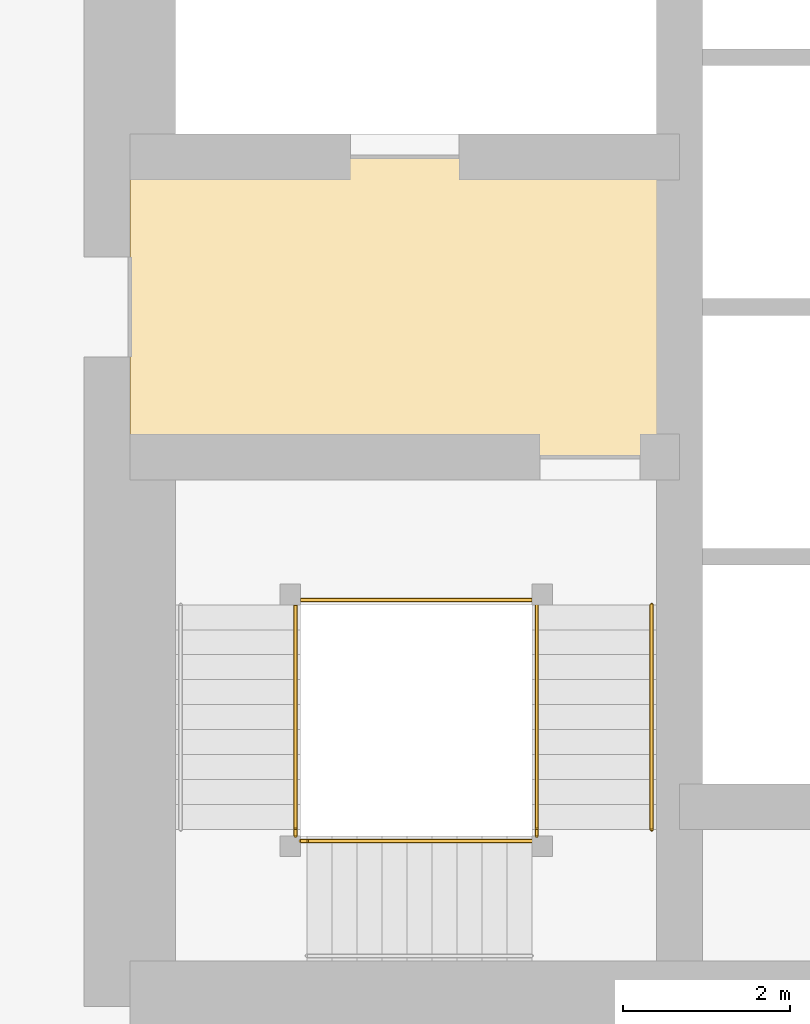
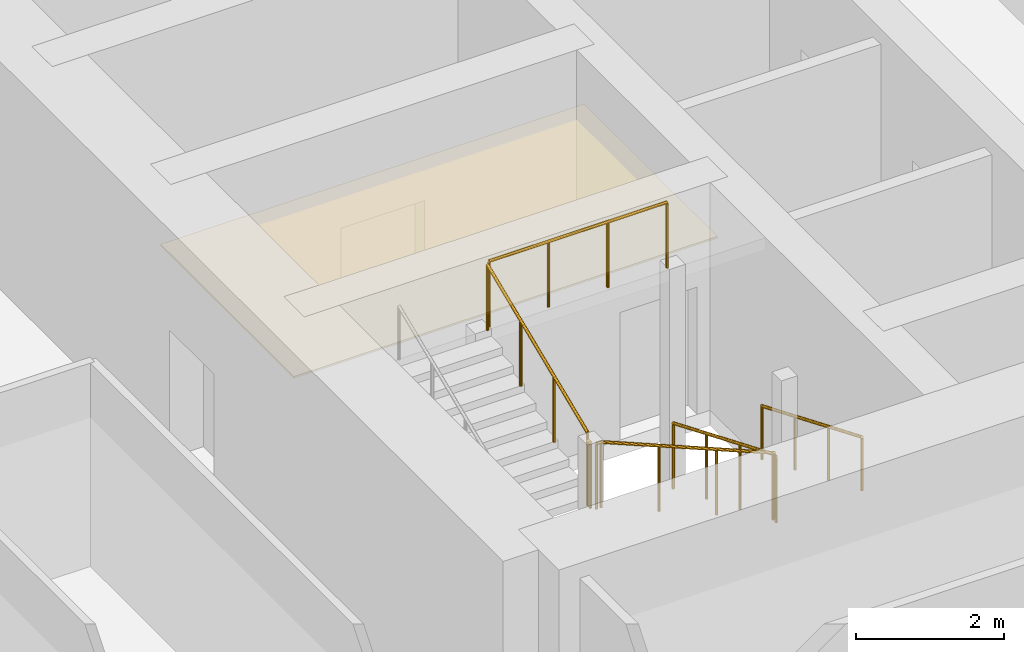
# One storey, part 37 of 44: 8 railings, 1 covering.
"""IFC4 building model written with IfcOpenShell, lengths in metres."""

from ifc_helpers import new_model, si_unit, direction, frame, origin, origin_2d, place, context, subcontext, project, spatial, polyline, circle, outline, extrude, material, layer, layer_set, type_object, element, save


model = new_model("IFC4")

# Units and contexts
model_context = context("Model", 3, precision=1e-05, world=origin(), true_north=direction((0.0, 1.0)))
body_context = subcontext(model_context, "Body", "Model", "MODEL_VIEW")
ifc_project = project(units=[si_unit("LENGTHUNIT", "METRE"), si_unit("AREAUNIT", "SQUARE_METRE"), si_unit("VOLUMEUNIT", "CUBIC_METRE"), si_unit("PLANEANGLEUNIT", "RADIAN"), si_unit("MASSUNIT", "GRAM", prefix="KILO")], contexts=[model_context])

# Site, building, storey
site_placement = place(None, origin())
site = spatial("IfcSite", under=ifc_project, at=site_placement, CompositionType="ELEMENT")
building_placement = place(site_placement, origin())
building = spatial("IfcBuilding", under=site, at=building_placement, Name="Rekha Terrace Tower", CompositionType="ELEMENT")
storey_placement = place(building_placement, frame((0.0, 0.0, 51.64990234375)))
storey = spatial("IfcBuildingStorey", under=building, at=storey_placement, Name="L12", CompositionType="ELEMENT", Elevation=51.64990234375)

# Covering
ifc_material_1 = material(Name="Powder-coated aluminium pan", Category="aluminium")
ifc_layer = layer(ifc_material_1, 0.030029296875)
ifc_layer_set = layer_set([ifc_layer], Name="Powder-coated aluminium pan")
covering_type = type_object("IfcCoveringType", Name="CL3 300x1200 metal pan ceiling", PredefinedType="CEILING", material=ifc_layer_set)
covering_placement = place(storey_placement, frame((0.0, 0.0, 2.570068359375)))
element("IfcCovering", 1, at=covering_placement, inside=storey, type_object=covering_type, Name="Ceiling L12-FLB1", PredefinedType="CEILING", context=body_context, shape_type="SweptSolid", body=[
    extrude(outline(polyline([(31.800048828125, 31.199951171875), (25.199951171875, 31.199951171875), (25.199951171875, 27.60009765625), (31.800048828125, 27.60009765625), (31.800048828125, 31.199951171875)])), origin(), (0.0, 0.0, 1.0), 0.030029296875),
])

# Railings
ifc_material_2 = material(Name="Stainless steel balustrade", Category="steel")
railing_type_1 = type_object("IfcRailingType", Name="GR1 1100 stair guard", PredefinedType="GUARDRAIL", material=ifc_material_2)
railing_1_placement = place(storey_placement, frame((30.0849609375, 25.824951171875, 0.125)))
element("IfcRailing", 2, at=railing_1_placement, inside=storey, type_object=railing_type_1, Name="Guard ST1 L12 flight 1", PredefinedType="GUARDRAIL", context=body_context, shape_type="SweptSolid", body=[
    extrude(circle(Radius=0.02392578125, at=origin_2d()), frame((0.0, 0.0, 1.076171875), z_axis=(0.0, -0.923074453586, 0.384621311341), x_axis=(1.0, 0.0, 0.0)), (0.0, 0.0, 1.0), 2.925048828125),
    extrude(circle(Radius=0.02099609375, at=origin_2d()), origin(), (0.0, 0.0, 1.0), 1.052001953125),
    extrude(circle(Radius=0.02099609375, at=origin_2d()), frame((0.0, -0.89990234375, 0.375)), (0.0, 0.0, 1.0), 1.052001953125),
    extrude(circle(Radius=0.02099609375, at=origin_2d()), frame((0.0, -1.800048828125, 0.75)), (0.0, 0.0, 1.0), 1.052001953125),
    extrude(circle(Radius=0.02099609375, at=origin_2d()), frame((0.0, -2.699951171875, 1.125)), (0.0, 0.0, 1.0), 1.052001953125),
])
railing_2_placement = place(storey_placement, frame((30.02490234375, 22.989990234375, 1.375)))
element("IfcRailing", 3, at=railing_2_placement, inside=storey, type_object=railing_type_1, Name="Guard ST1 L12 flight 2", PredefinedType="GUARDRAIL", context=body_context, shape_type="SweptSolid", body=[
    extrude(circle(Radius=0.02392578125, at=origin_2d()), frame((0.0, 0.0, 1.076171875), z_axis=(-0.923074453586, 0.0, 0.384621311341), x_axis=(0.0, -1.0, 0.0)), (0.0, 0.0, 1.0), 2.925048828125),
    extrude(circle(Radius=0.02099609375, at=origin_2d()), origin(), (0.0, 0.0, 1.0), 1.052001953125),
    extrude(circle(Radius=0.02099609375, at=origin_2d()), frame((-0.89990234375, 0.0, 0.375)), (0.0, 0.0, 1.0), 1.052001953125),
    extrude(circle(Radius=0.02099609375, at=origin_2d()), frame((-1.800048828125, 0.0, 0.75)), (0.0, 0.0, 1.0), 1.052001953125),
    extrude(circle(Radius=0.02099609375, at=origin_2d()), frame((-2.699951171875, 0.0, 1.125)), (0.0, 0.0, 1.0), 1.052001953125),
])
railing_3_placement = place(storey_placement, frame((27.18994140625, 23.125, 2.625)))
element("IfcRailing", 4, at=railing_3_placement, inside=storey, type_object=railing_type_1, Name="Guard ST1 L12 flight 3", PredefinedType="GUARDRAIL", context=body_context, shape_type="SweptSolid", body=[
    extrude(circle(Radius=0.02392578125, at=origin_2d()), frame((0.0, 0.0, 1.076171875), z_axis=(0.0, 0.923074453586, 0.384621311341), x_axis=(-1.0, 0.0, 0.0)), (0.0, 0.0, 1.0), 2.925048828125),
    extrude(circle(Radius=0.02099609375, at=origin_2d()), origin(), (0.0, 0.0, 1.0), 1.052001953125),
    extrude(circle(Radius=0.02099609375, at=origin_2d()), frame((0.0, 0.89990234375, 0.375)), (0.0, 0.0, 1.0), 1.052001953125),
    extrude(circle(Radius=0.02099609375, at=origin_2d()), frame((0.0, 1.800048828125, 0.75)), (0.0, 0.0, 1.0), 1.052001953125),
    extrude(circle(Radius=0.02099609375, at=origin_2d()), frame((0.0, 2.699951171875, 1.125)), (0.0, 0.0, 1.0), 1.052001953125),
])
railing_4_placement = place(storey_placement, frame((30.0849609375, 23.125, 1.25)))
element("IfcRailing", 5, at=railing_4_placement, inside=storey, type_object=railing_type_1, Name="Guard ST1 L12 landing 1", PredefinedType="GUARDRAIL", context=body_context, shape_type="SweptSolid", body=[
    extrude(circle(Radius=0.02392578125, at=origin_2d()), frame((0.0, 0.0, 1.076171875), z_axis=(0.0, -1.0, 0.0), x_axis=(1.0, 0.0, 0.0)), (0.0, 0.0, 1.0), 0.074951171875),
    extrude(circle(Radius=0.02099609375, at=origin_2d()), origin(), (0.0, 0.0, 1.0), 1.052001953125),
    extrude(circle(Radius=0.02099609375, at=origin_2d()), frame((0.0, -0.074951171875, 0.0)), (0.0, 0.0, 1.0), 1.052001953125),
])
railing_5_placement = place(storey_placement, frame((27.324951171875, 22.989990234375, 2.5)))
element("IfcRailing", 6, at=railing_5_placement, inside=storey, type_object=railing_type_1, Name="Guard ST1 L12 landing 2", PredefinedType="GUARDRAIL", context=body_context, shape_type="SweptSolid", body=[
    extrude(circle(Radius=0.02392578125, at=origin_2d()), frame((0.0, 0.0, 1.076171875), z_axis=(-1.0, 0.0, 0.0), x_axis=(0.0, -1.0, 0.0)), (0.0, 0.0, 1.0), 0.074951171875),
    extrude(circle(Radius=0.02099609375, at=origin_2d()), origin(), (0.0, 0.0, 1.0), 1.052001953125),
    extrude(circle(Radius=0.02099609375, at=origin_2d()), frame((-0.074951171875, 0.0, 0.0)), (0.0, 0.0, 1.0), 1.052001953125),
])
railing_6_placement = place(storey_placement, frame((27.18994140625, 23.125, 2.5)))
element("IfcRailing", 7, at=railing_6_placement, inside=storey, type_object=railing_type_1, Name="Guard ST1 L12 landing 3", PredefinedType="GUARDRAIL", context=body_context, shape_type="SweptSolid", body=[
    extrude(circle(Radius=0.02392578125, at=origin_2d()), frame((0.0, 0.0, 1.076171875), z_axis=(0.0, -1.0, 0.0), x_axis=(1.0, 0.0, 0.0)), (0.0, 0.0, 1.0), 0.074951171875),
    extrude(circle(Radius=0.02099609375, at=origin_2d()), origin(), (0.0, 0.0, 1.0), 1.052001953125),
    extrude(circle(Radius=0.02099609375, at=origin_2d()), frame((0.0, -0.074951171875, 0.0)), (0.0, 0.0, 1.0), 1.052001953125),
])
railing_7_placement = place(storey_placement, frame((30.02490234375, 25.885009765625, 3.75)))
element("IfcRailing", 8, at=railing_7_placement, inside=storey, type_object=railing_type_1, Name="Guard ST1 L12 landing 4", PredefinedType="GUARDRAIL", context=body_context, shape_type="SweptSolid", body=[
    extrude(circle(Radius=0.02392578125, at=origin_2d()), frame((0.0, 0.0, 1.076171875), z_axis=(-1.0, 0.0, 0.0), x_axis=(0.0, -1.0, 0.0)), (0.0, 0.0, 1.0), 2.77490234375),
    extrude(circle(Radius=0.02099609375, at=origin_2d()), origin(), (0.0, 0.0, 1.0), 1.052001953125),
    extrude(circle(Radius=0.02099609375, at=origin_2d()), frame((-0.925048828125, 0.0, 0.0)), (0.0, 0.0, 1.0), 1.052001953125),
    extrude(circle(Radius=0.02099609375, at=origin_2d()), frame((-1.849853515625, 0.0, 0.0)), (0.0, 0.0, 1.0), 1.052001953125),
    extrude(circle(Radius=0.02099609375, at=origin_2d()), frame((-2.77490234375, 0.0, 0.0)), (0.0, 0.0, 1.0), 1.052001953125),
])
ifc_material_3 = material(Name="Stainless steel tube", Category="steel")
railing_type_2 = type_object("IfcRailingType", Name="HR1 900 stair handrail", PredefinedType="HANDRAIL", material=ifc_material_3)
railing_8_placement = place(storey_placement, frame((31.465087890625, 25.824951171875, 0.125)))
element("IfcRailing", 9, at=railing_8_placement, inside=storey, type_object=railing_type_2, Name="Handrail ST1 L12 flight 1", PredefinedType="HANDRAIL", context=body_context, shape_type="SweptSolid", body=[
    extrude(circle(Radius=0.02392578125, at=origin_2d()), frame((0.0, 0.0, 0.8759765625), z_axis=(0.0, -0.923074453586, 0.384621311341), x_axis=(1.0, 0.0, 0.0)), (0.0, 0.0, 1.0), 2.925048828125),
    extrude(circle(Radius=0.02099609375, at=origin_2d()), origin(), (0.0, 0.0, 1.0), 0.851806640625),
    extrude(circle(Radius=0.02099609375, at=origin_2d()), frame((0.0, -0.89990234375, 0.375)), (0.0, 0.0, 1.0), 0.851806640625),
    extrude(circle(Radius=0.02099609375, at=origin_2d()), frame((0.0, -1.800048828125, 0.75)), (0.0, 0.0, 1.0), 0.851806640625),
    extrude(circle(Radius=0.02099609375, at=origin_2d()), frame((0.0, -2.699951171875, 1.125)), (0.0, 0.0, 1.0), 0.851806640625),
])

save(model, "model.ifc")
